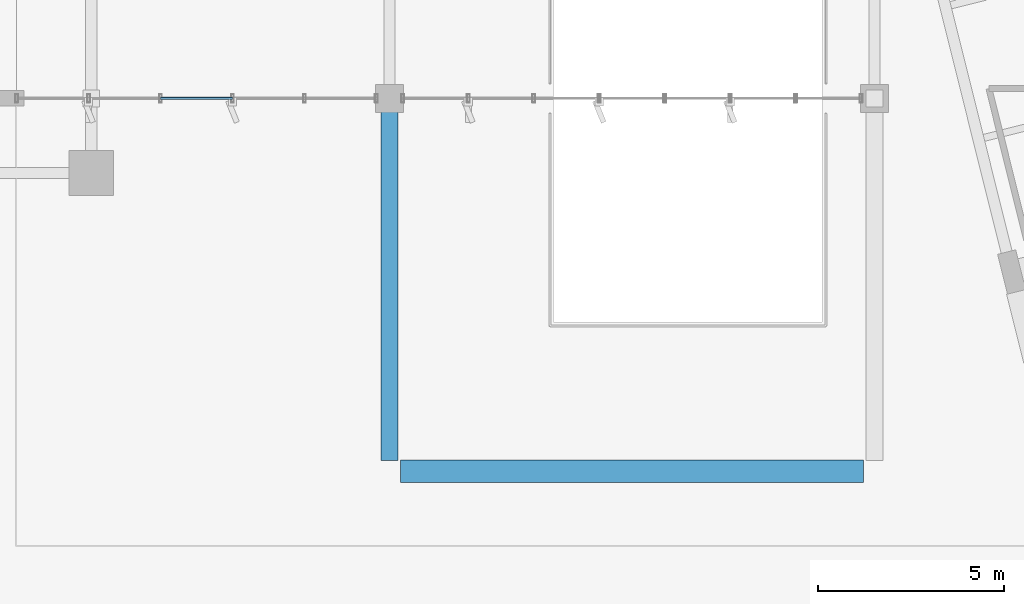
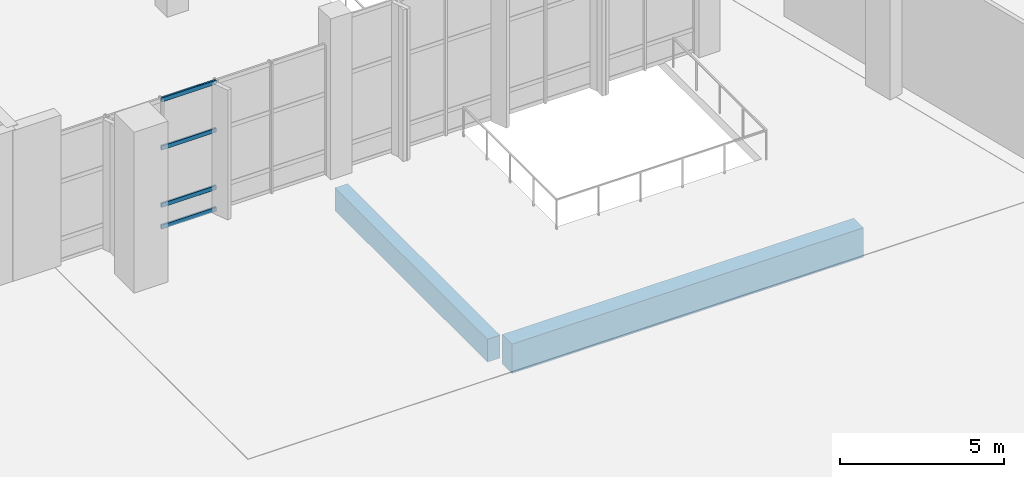
# One storey, part 80 of 163: 4 members, 2 beams, 1 element without a shape of its own.
"""IFC4 building model written with IfcOpenShell, lengths in metres."""

from ifc_helpers import new_model, si_unit, direction, frame, origin, origin_2d, place, context, subcontext, project, spatial, rectangle, hollow_rectangle, extrude, material, layer, layer_set, material_profile, profile_set, type_object, element, aggregate, save


model = new_model("IFC4")

# Units and contexts
model_context = context("Model", 3, precision=1e-05, world=origin(), true_north=direction((0.0, 1.0)))
body_context = subcontext(model_context, "Body", "Model", "MODEL_VIEW")
ifc_project = project(units=[si_unit("LENGTHUNIT", "METRE"), si_unit("AREAUNIT", "SQUARE_METRE"), si_unit("VOLUMEUNIT", "CUBIC_METRE"), si_unit("PLANEANGLEUNIT", "RADIAN"), si_unit("MASSUNIT", "GRAM", prefix="KILO")], contexts=[model_context])

# Site, building, storey
site_placement = place(None, origin())
site = spatial("IfcSite", under=ifc_project, at=site_placement, CompositionType="ELEMENT")
building_placement = place(site_placement, origin())
building = spatial("IfcBuilding", under=site, at=building_placement, Name="Khorjan Park Terminus", CompositionType="ELEMENT")
storey_placement = place(building_placement, origin())
storey = spatial("IfcBuildingStorey", under=building, at=storey_placement, Name="L00", CompositionType="ELEMENT", Elevation=0.0)

# Beams
ifc_material_1 = material(Name="Concrete C40/50", Category="concrete")
ifc_material_profile_1 = material_profile(ifc_material_1, rectangle(XDim=0.45, YDim=0.85, at=origin_2d()), Name="RC 450x850")
ifc_profile_set_1 = profile_set([ifc_material_profile_1], Name="Concrete C40/50")
beam_type_1 = type_object("IfcBeamType", Name="BM-RC450x850", PredefinedType="BEAM", material=ifc_profile_set_1)
beam_1_placement = place(storey_placement, frame((144.0, 18.295, -0.775), z_axis=(0.0, 1.0, 0.0), x_axis=(-1.0, 0.0, 0.0)))
element("IfcBeam", 1, at=beam_1_placement, inside=storey, type_object=beam_type_1, Name="Primary floor girder GB-85 (L00)", PredefinedType="BEAM", context=body_context, shape_type="SweptSolid", body=[
    extrude(rectangle(XDim=0.45, YDim=0.85, at=origin_2d()), origin(), (0.0, 0.0, 1.0), 9.335),
])
ifc_material_profile_2 = material_profile(ifc_material_1, rectangle(XDim=0.6, YDim=1.1, at=origin_2d()), Name="RC 600x1100")
ifc_profile_set_2 = profile_set([ifc_material_profile_2], Name="Concrete C40/50")
beam_type_2 = type_object("IfcBeamType", Name="BM-RC600x1100", PredefinedType="BEAM", material=ifc_profile_set_2)
beam_2_placement = place(storey_placement, frame((144.295, 18.0, -0.9), z_axis=(1.0, 0.0, 0.0), x_axis=(0.0, 1.0, 0.0)))
element("IfcBeam", 2, at=beam_2_placement, inside=storey, type_object=beam_type_2, Name="Primary floor girder GB-11 (L00)", PredefinedType="BEAM", context=body_context, shape_type="SweptSolid", body=[
    extrude(rectangle(XDim=0.6, YDim=1.1, at=origin_2d()), origin(), (0.0, 0.0, 1.0), 12.41),
])

# Curtain wall, members
ifc_material_2 = material(Name="Anodized Bronze Aluminium", Category="aluminium")
ifc_layer = layer(ifc_material_2, 0.22)
ifc_layer_set = layer_set([ifc_layer], Name="Anodized Bronze Aluminium")
curtain_wall_type = type_object("IfcCurtainWallType", Name="CW-OPS-B", PredefinedType="NOTDEFINED", material=ifc_layer_set)
curtain_wall_placement = place(storey_placement, origin())
curtain_wall = element("IfcCurtainWall", 3, at=curtain_wall_placement, inside=storey, type_object=curtain_wall_type, Name="Unitized curtain wall CW-B (CW-V5L-S-L00-1)", PredefinedType="NOTDEFINED")
ifc_material_profile_3 = material_profile(ifc_material_2, hollow_rectangle(XDim=0.07, YDim=0.16, WallThickness=0.004, InnerFilletRadius=0.004, OuterFilletRadius=0.008, at=origin_2d()), Name="ALT 70x160x4")
ifc_profile_set_3 = profile_set([ifc_material_profile_3], Name="Anodized Bronze Aluminium")
member_type = type_object("IfcMemberType", Name="TR-ALT-160", PredefinedType="USERDEFINED", material=ifc_profile_set_3)
member_1_placement = place(storey_placement, frame((137.858, 28.0, 0.04), z_axis=(1.0, 0.0, 0.0), x_axis=(0.0, 1.0, 0.0)))
member_1 = element("IfcMember", 4, at=member_1_placement, type_object=member_type, Name="Curtain-wall transom TR-16 (CW-V5L-S-L00-1-2-1)", ObjectType="TRANSOM", PredefinedType="USERDEFINED", context=body_context, shape_type="SweptSolid", body=[
    extrude(hollow_rectangle(XDim=0.07, YDim=0.16, WallThickness=0.004, InnerFilletRadius=0.004, OuterFilletRadius=0.008, at=origin_2d()), origin(), (0.0, 0.0, 1.0), 1.929),
])
member_2_placement = place(storey_placement, frame((137.858, 28.0, 0.85), z_axis=(1.0, 0.0, 0.0), x_axis=(0.0, 1.0, 0.0)))
member_2 = element("IfcMember", 5, at=member_2_placement, type_object=member_type, Name="Curtain-wall transom TR-16 (CW-V5L-S-L00-1-2-2)", ObjectType="TRANSOM", PredefinedType="USERDEFINED", context=body_context, shape_type="SweptSolid", body=[
    extrude(hollow_rectangle(XDim=0.07, YDim=0.16, WallThickness=0.004, InnerFilletRadius=0.004, OuterFilletRadius=0.008, at=origin_2d()), origin(), (0.0, 0.0, 1.0), 1.929),
])
member_3_placement = place(storey_placement, frame((137.858, 28.0, 2.9915), z_axis=(1.0, 0.0, 0.0), x_axis=(0.0, 1.0, 0.0)))
member_3 = element("IfcMember", 6, at=member_3_placement, type_object=member_type, Name="Curtain-wall transom TR-16 (CW-V5L-S-L00-1-2-3)", ObjectType="TRANSOM", PredefinedType="USERDEFINED", context=body_context, shape_type="SweptSolid", body=[
    extrude(hollow_rectangle(XDim=0.07, YDim=0.16, WallThickness=0.004, InnerFilletRadius=0.004, OuterFilletRadius=0.008, at=origin_2d()), origin(), (0.0, 0.0, 1.0), 1.929),
])
member_4_placement = place(storey_placement, frame((137.858, 28.0, 4.785), z_axis=(1.0, 0.0, 0.0), x_axis=(0.0, 1.0, 0.0)))
member_4 = element("IfcMember", 7, at=member_4_placement, type_object=member_type, Name="Curtain-wall transom TR-16 (CW-V5L-S-L00-1-2-4)", ObjectType="TRANSOM", PredefinedType="USERDEFINED", context=body_context, shape_type="SweptSolid", body=[
    extrude(hollow_rectangle(XDim=0.07, YDim=0.16, WallThickness=0.004, InnerFilletRadius=0.004, OuterFilletRadius=0.008, at=origin_2d()), origin(), (0.0, 0.0, 1.0), 1.929),
])
aggregate(curtain_wall, [member_1, member_2, member_3, member_4])

save(model, "model.ifc")
